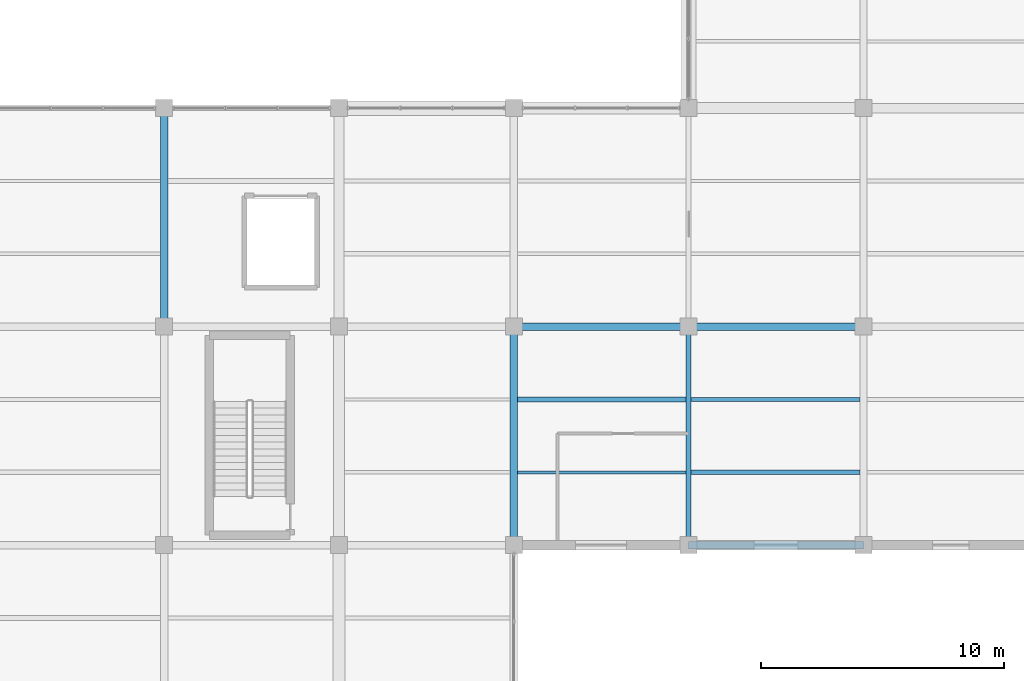
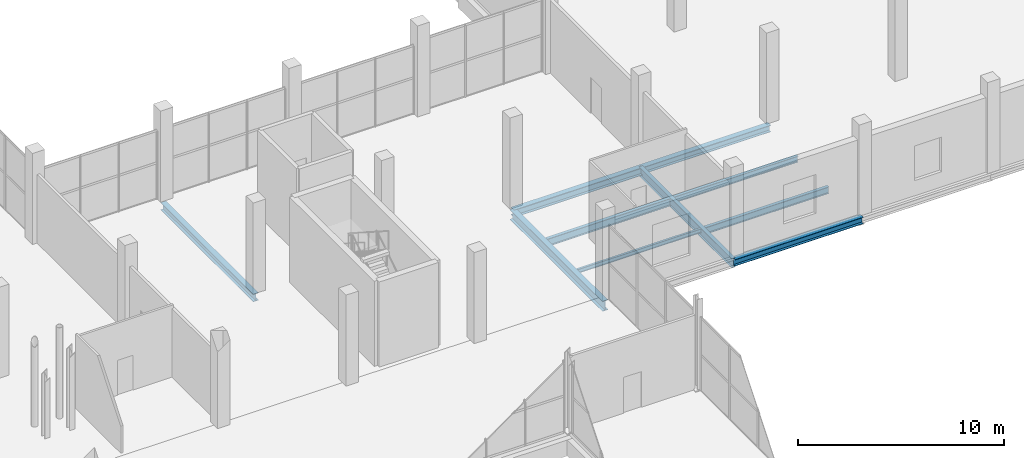
# One storey, part 100 of 147: 10 beams.
"""IFC4 building model written with IfcOpenShell, lengths in metres."""

from ifc_helpers import new_model, si_unit, direction, frame, origin, origin_2d, place, context, subcontext, project, spatial, i_section, extrude, material, material_profile, profile_set, type_object, element, save


model = new_model("IFC4")

# Units and contexts
model_context = context("Model", 3, precision=1e-05, world=origin(), true_north=direction((0.0, 1.0)))
body_context = subcontext(model_context, "Body", "Model", "MODEL_VIEW")
ifc_project = project(units=[si_unit("LENGTHUNIT", "METRE"), si_unit("AREAUNIT", "SQUARE_METRE"), si_unit("VOLUMEUNIT", "CUBIC_METRE"), si_unit("PLANEANGLEUNIT", "RADIAN"), si_unit("MASSUNIT", "GRAM", prefix="KILO")], contexts=[model_context])

# Site, building, storey
site_placement = place(None, origin())
site = spatial("IfcSite", under=ifc_project, at=site_placement, CompositionType="ELEMENT")
building_placement = place(site_placement, origin())
building = spatial("IfcBuilding", under=site, at=building_placement, Name="Sundgate Opera House", CompositionType="ELEMENT")
storey_placement = place(building_placement, frame((0.0, 0.0, 6.0)))
storey = spatial("IfcBuildingStorey", under=building, at=storey_placement, Name="L01", CompositionType="ELEMENT", Elevation=6.0)

# Beams
ifc_material_1 = material(Name="Steel S355J2", Category="steel")
ifc_material_profile_1 = material_profile(ifc_material_1, i_section(OverallWidth=0.300048828125, OverallDepth=0.389892578125, WebThickness=0.010986328125, FlangeThickness=0.01904296875, at=origin_2d()), Name="HEA 400")
ifc_profile_set_1 = profile_set([ifc_material_profile_1], Name="Steel S355J2")
beam_type_1 = type_object("IfcBeamType", Name="BM-GR-HEA400", PredefinedType="BEAM", material=ifc_profile_set_1)
beam_1_placement = place(storey_placement, frame((153.0, 69.0, -0.4951171875), z_axis=(1.0, 0.0, 0.0), x_axis=(0.0, 1.0, 0.0)))
element("IfcBeam", 1, at=beam_1_placement, inside=storey, type_object=beam_type_1, Name="L01 Primary E-W Girder B1369", PredefinedType="BEAM", context=body_context, shape_type="SweptSolid", body=[
    extrude(i_section(OverallWidth=0.300048828125, OverallDepth=0.389892578125, WebThickness=0.010986328125, FlangeThickness=0.01904296875, at=origin_2d()), origin(), (0.0, 0.0, 1.0), 7.199951171875),
])
ifc_material_2 = material(Name="Steel S355J2", Category="steel")
ifc_material_profile_2 = material_profile(ifc_material_2, i_section(OverallWidth=0.300048828125, OverallDepth=0.43994140625, WebThickness=0.011474609375, FlangeThickness=0.02099609375, at=origin_2d()), Name="HEA 450")
ifc_profile_set_2 = profile_set([ifc_material_profile_2], Name="Steel S355J2")
beam_type_2 = type_object("IfcBeamType", Name="BM-GR-HEA450", PredefinedType="BEAM", material=ifc_profile_set_2)
beam_2_placement = place(storey_placement, frame((131.39990234375, 78.0, -0.52001953125), z_axis=(0.0, 1.0, 0.0), x_axis=(-1.0, 0.0, 0.0)))
element("IfcBeam", 2, at=beam_2_placement, inside=storey, type_object=beam_type_2, Name="L01 Primary N-S Girder B1214", PredefinedType="BEAM", context=body_context, shape_type="SweptSolid", body=[
    extrude(i_section(OverallWidth=0.300048828125, OverallDepth=0.43994140625, WebThickness=0.011474609375, FlangeThickness=0.02099609375, at=origin_2d()), origin(), (0.0, 0.0, 1.0), 9.0),
])
ifc_material_3 = material(Name="Steel S355J2", Category="steel")
ifc_material_profile_3 = material_profile(ifc_material_3, i_section(OverallWidth=0.300048828125, OverallDepth=0.590087890625, WebThickness=0.012939453125, FlangeThickness=0.02490234375, at=origin_2d()), Name="HEA 600")
ifc_profile_set_3 = profile_set([ifc_material_profile_3], Name="Steel S355J2")
beam_type_3 = type_object("IfcBeamType", Name="BM-GR-HEA600", PredefinedType="BEAM", material=ifc_profile_set_3)
beam_3_placement = place(storey_placement, frame((145.800048828125, 69.0, -0.594970703125), z_axis=(0.0, 1.0, 0.0), x_axis=(-1.0, 0.0, 0.0)))
element("IfcBeam", 3, at=beam_3_placement, inside=storey, type_object=beam_type_3, Name="L01 Primary N-S Girder B1234", PredefinedType="BEAM", context=body_context, shape_type="SweptSolid", body=[
    extrude(i_section(OverallWidth=0.300048828125, OverallDepth=0.590087890625, WebThickness=0.012939453125, FlangeThickness=0.02490234375, at=origin_2d()), origin(), (0.0, 0.0, 1.0), 9.0),
])
ifc_material_4 = material(Name="Steel S355J2", Category="steel")
ifc_material_profile_4 = material_profile(ifc_material_4, i_section(OverallWidth=0.300048828125, OverallDepth=0.39990234375, WebThickness=0.013427734375, FlangeThickness=0.02392578125, at=origin_2d()), Name="HEB 400")
ifc_profile_set_4 = profile_set([ifc_material_profile_4], Name="Steel S355J2")
beam_type_4 = type_object("IfcBeamType", Name="BM-GR-HEB400", PredefinedType="BEAM", material=ifc_profile_set_4)
beam_4_placement = place(storey_placement, frame((153.0, 78.0, -0.5), z_axis=(1.0, 0.0, 0.0), x_axis=(0.0, 1.0, 0.0)))
element("IfcBeam", 4, at=beam_4_placement, inside=storey, type_object=beam_type_4, Name="L01 Primary E-W Girder B1386", PredefinedType="BEAM", context=body_context, shape_type="SweptSolid", body=[
    extrude(i_section(OverallWidth=0.300048828125, OverallDepth=0.39990234375, WebThickness=0.013427734375, FlangeThickness=0.02392578125, at=origin_2d()), origin(), (0.0, 0.0, 1.0), 7.199951171875),
])
ifc_material_5 = material(Name="Steel S355J2", Category="steel")
ifc_material_profile_5 = material_profile(ifc_material_5, i_section(OverallWidth=0.300048828125, OverallDepth=0.449951171875, WebThickness=0.013916015625, FlangeThickness=0.02587890625, at=origin_2d()), Name="HEB 450")
ifc_profile_set_5 = profile_set([ifc_material_profile_5], Name="Steel S355J2")
beam_type_5 = type_object("IfcBeamType", Name="BM-GR-HEB450", PredefinedType="BEAM", material=ifc_profile_set_5)
beam_5_placement = place(storey_placement, frame((145.800048828125, 78.0, -0.52490234375), z_axis=(1.0, 0.0, 0.0), x_axis=(0.0, 1.0, 0.0)))
element("IfcBeam", 5, at=beam_5_placement, inside=storey, type_object=beam_type_5, Name="L01 Primary E-W Girder B1385", PredefinedType="BEAM", context=body_context, shape_type="SweptSolid", body=[
    extrude(i_section(OverallWidth=0.300048828125, OverallDepth=0.449951171875, WebThickness=0.013916015625, FlangeThickness=0.02587890625, at=origin_2d()), origin(), (0.0, 0.0, 1.0), 7.199951171875),
])
ifc_material_6 = material(Name="Steel S355J2", Category="steel")
ifc_material_profile_6 = material_profile(ifc_material_6, i_section(OverallWidth=0.2099609375, OverallDepth=0.550048828125, WebThickness=0.010986328125, FlangeThickness=0.01708984375, at=origin_2d()), Name="IPE 550")
ifc_profile_set_6 = profile_set([ifc_material_profile_6], Name="Steel S355J2")
beam_type_6 = type_object("IfcBeamType", Name="BM-GR-IPE550", PredefinedType="BEAM", material=ifc_profile_set_6)
beam_6_placement = place(storey_placement, frame((153.0, 69.0, -0.574951171875), z_axis=(0.0, 1.0, 0.0), x_axis=(-1.0, 0.0, 0.0)))
element("IfcBeam", 6, at=beam_6_placement, inside=storey, type_object=beam_type_6, Name="L01 Primary N-S Girder B1241", PredefinedType="BEAM", context=body_context, shape_type="SweptSolid", body=[
    extrude(i_section(OverallWidth=0.2099609375, OverallDepth=0.550048828125, WebThickness=0.010986328125, FlangeThickness=0.01708984375, at=origin_2d()), origin(), (0.0, 0.0, 1.0), 9.0),
])
ifc_material_7 = material(Name="Steel S355J2", Category="steel")
ifc_material_profile_7 = material_profile(ifc_material_7, i_section(OverallWidth=0.1201171875, OverallDepth=0.239990234375, WebThickness=0.006103515625, FlangeThickness=0.009765625, at=origin_2d()), Name="IPE 240")
ifc_profile_set_7 = profile_set([ifc_material_profile_7], Name="Steel S355J2")
beam_type_7 = type_object("IfcBeamType", Name="BM-JS-IPE240", PredefinedType="JOIST", material=ifc_profile_set_7)
beam_7_placement = place(storey_placement, frame((145.949951171875, 72.0, -0.419921875), z_axis=(1.0, 0.0, 0.0), x_axis=(0.0, 1.0, 0.0)))
element("IfcBeam", 7, at=beam_7_placement, inside=storey, type_object=beam_type_7, Name="L01 Secondary Floor Joist B1630", PredefinedType="JOIST", context=body_context, shape_type="SweptSolid", body=[
    extrude(i_section(OverallWidth=0.1201171875, OverallDepth=0.239990234375, WebThickness=0.006103515625, FlangeThickness=0.009765625, at=origin_2d()), origin(), (0.0, 0.0, 1.0), 6.945068359375),
])
ifc_material_8 = material(Name="Steel S355J2", Category="steel")
ifc_material_profile_8 = material_profile(ifc_material_8, i_section(OverallWidth=0.169921875, OverallDepth=0.360107421875, WebThickness=0.008056640625, FlangeThickness=0.0126953125, at=origin_2d()), Name="IPE 360")
ifc_profile_set_8 = profile_set([ifc_material_profile_8], Name="Steel S355J2")
beam_type_8 = type_object("IfcBeamType", Name="BM-JS-IPE360", PredefinedType="JOIST", material=ifc_profile_set_8)
beam_8_placement = place(storey_placement, frame((153.10498046875, 75.0, -0.47998046875), z_axis=(1.0, 0.0, 0.0), x_axis=(0.0, 1.0, 0.0)))
element("IfcBeam", 8, at=beam_8_placement, inside=storey, type_object=beam_type_8, Name="L01 Secondary Floor Joist B1633", PredefinedType="JOIST", context=body_context, shape_type="SweptSolid", body=[
    extrude(i_section(OverallWidth=0.169921875, OverallDepth=0.360107421875, WebThickness=0.008056640625, FlangeThickness=0.0126953125, at=origin_2d()), origin(), (0.0, 0.0, 1.0), 6.945068359375),
])
ifc_material_9 = material(Name="Steel S355J2", Category="steel")
ifc_material_profile_9 = material_profile(ifc_material_9, i_section(OverallWidth=0.179931640625, OverallDepth=0.39990234375, WebThickness=0.008544921875, FlangeThickness=0.013427734375, at=origin_2d()), Name="IPE 400")
ifc_profile_set_9 = profile_set([ifc_material_profile_9], Name="Steel S355J2")
beam_type_9 = type_object("IfcBeamType", Name="BM-JS-IPE400", PredefinedType="JOIST", material=ifc_profile_set_9)
beam_9_placement = place(storey_placement, frame((153.10498046875, 72.0, -0.5), z_axis=(1.0, 0.0, 0.0), x_axis=(0.0, 1.0, 0.0)))
element("IfcBeam", 9, at=beam_9_placement, inside=storey, type_object=beam_type_9, Name="L01 Secondary Floor Joist B1632", PredefinedType="JOIST", context=body_context, shape_type="SweptSolid", body=[
    extrude(i_section(OverallWidth=0.179931640625, OverallDepth=0.39990234375, WebThickness=0.008544921875, FlangeThickness=0.013427734375, at=origin_2d()), origin(), (0.0, 0.0, 1.0), 6.945068359375),
])
ifc_material_10 = material(Name="Steel S355J2", Category="steel")
ifc_material_profile_10 = material_profile(ifc_material_10, i_section(OverallWidth=0.18994140625, OverallDepth=0.449951171875, WebThickness=0.009521484375, FlangeThickness=0.0146484375, at=origin_2d()), Name="IPE 450")
ifc_profile_set_10 = profile_set([ifc_material_profile_10], Name="Steel S355J2")
beam_type_10 = type_object("IfcBeamType", Name="BM-JS-IPE450", PredefinedType="JOIST", material=ifc_profile_set_10)
beam_10_placement = place(storey_placement, frame((145.949951171875, 75.0, -0.52490234375), z_axis=(1.0, 0.0, 0.0), x_axis=(0.0, 1.0, 0.0)))
element("IfcBeam", 10, at=beam_10_placement, inside=storey, type_object=beam_type_10, Name="L01 Secondary Floor Joist B1631", PredefinedType="JOIST", context=body_context, shape_type="SweptSolid", body=[
    extrude(i_section(OverallWidth=0.18994140625, OverallDepth=0.449951171875, WebThickness=0.009521484375, FlangeThickness=0.0146484375, at=origin_2d()), origin(), (0.0, 0.0, 1.0), 6.945068359375),
])

save(model, "model.ifc")
